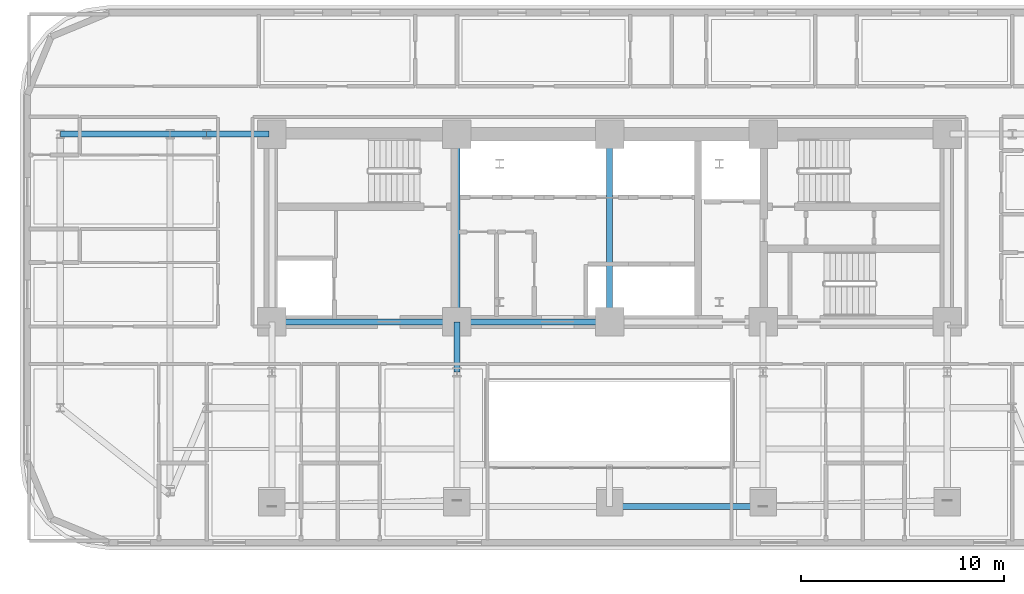
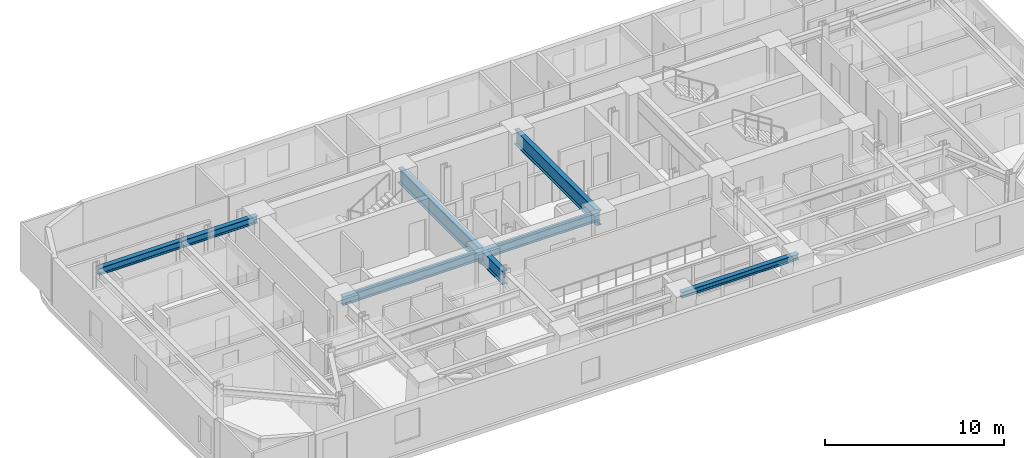
# One storey, part 4 of 16: 9 beams.
"""IFC4 building model written with IfcOpenShell, lengths in metres."""

from ifc_helpers import new_model, si_unit, direction, frame, origin, origin_2d, place, context, subcontext, project, spatial, i_section, extrude, material, material_profile, profile_set, type_object, element, save


model = new_model("IFC4")

# Units and contexts
model_context = context("Model", 3, precision=1e-05, world=origin(), true_north=direction((0.0, 1.0)))
body_context = subcontext(model_context, "Body", "Model", "MODEL_VIEW")
ifc_project = project(units=[si_unit("LENGTHUNIT", "METRE"), si_unit("AREAUNIT", "SQUARE_METRE"), si_unit("VOLUMEUNIT", "CUBIC_METRE"), si_unit("PLANEANGLEUNIT", "RADIAN"), si_unit("MASSUNIT", "GRAM", prefix="KILO")], contexts=[model_context])

# Site, building, storey
site_placement = place(None, origin())
site = spatial("IfcSite", under=ifc_project, at=site_placement, CompositionType="ELEMENT")
building_placement = place(site_placement, origin())
building = spatial("IfcBuilding", under=site, at=building_placement, Name="Zarnavel Station Tower", CompositionType="ELEMENT")
storey_placement = place(building_placement, frame((0.0, 0.0, 79.300048828125)))
storey = spatial("IfcBuildingStorey", under=building, at=storey_placement, Name="L21", CompositionType="ELEMENT", Elevation=79.300048828125)

# Beams
ifc_material_1 = material(Name="Steel S355J2", Category="steel")
ifc_material_profile_1 = material_profile(ifc_material_1, i_section(OverallWidth=0.300048828125, OverallDepth=0.39990234375, WebThickness=0.013427734375, FlangeThickness=0.02392578125, FilletRadius=0.027099609375, at=origin_2d()), Name="HEB400")
ifc_profile_set_1 = profile_set([ifc_material_profile_1], Name="Steel S355J2")
beam_type_1 = type_object("IfcBeamType", Name="EB_HEB400", PredefinedType="SPANDREL", material=ifc_profile_set_1)
beam_1_placement = place(storey_placement, frame((28.800048828125, 18.748291015625, 3.0400390625), z_axis=(1.0, 0.0, 0.0), x_axis=(0.0, 1.0, 0.0)))
element("IfcBeam", 1, at=beam_1_placement, inside=storey, type_object=beam_type_1, Name="L21 South Raked Spandrel 3", PredefinedType="SPANDREL", context=body_context, shape_type="SweptSolid", body=[
    extrude(i_section(OverallWidth=0.300048828125, OverallDepth=0.39990234375, WebThickness=0.013427734375, FlangeThickness=0.02392578125, FilletRadius=0.027099609375, at=origin_2d()), origin(), (0.0, 0.0, 1.0), 7.550048828125),
])
ifc_material_2 = material(Name="Steel S355J2", Category="steel")
ifc_material_profile_2 = material_profile(ifc_material_2, i_section(OverallWidth=0.300048828125, OverallDepth=0.5, WebThickness=0.014404296875, FlangeThickness=0.028076171875, FilletRadius=0.027099609375, at=origin_2d()), Name="HEB500")
ifc_profile_set_2 = profile_set([ifc_material_profile_2], Name="Steel S355J2")
beam_type_2 = type_object("IfcBeamType", Name="FG_HEB500", PredefinedType="USERDEFINED", material=ifc_profile_set_2)
beam_2_placement = place(storey_placement, frame((1.800048828125, 37.050048828125, 2.989990234375), z_axis=(1.0, 0.0, 0.0), x_axis=(0.0, 1.0, 0.0)))
element("IfcBeam", 2, at=beam_2_placement, inside=storey, type_object=beam_type_2, Name="L21 West Wing North Tie 1", ObjectType="GIRDER", PredefinedType="USERDEFINED", context=body_context, shape_type="SweptSolid", body=[
    extrude(i_section(OverallWidth=0.300048828125, OverallDepth=0.5, WebThickness=0.014404296875, FlangeThickness=0.028076171875, FilletRadius=0.027099609375, at=origin_2d()), origin(), (0.0, 0.0, 1.0), 5.39990234375),
])
beam_3_placement = place(storey_placement, frame((7.199951171875, 37.050048828125, 2.989990234375), z_axis=(1.0, 0.0, 0.0), x_axis=(0.0, 1.0, 0.0)))
element("IfcBeam", 3, at=beam_3_placement, inside=storey, type_object=beam_type_2, Name="L21 West Wing North Tie 2", ObjectType="GIRDER", PredefinedType="USERDEFINED", context=body_context, shape_type="SweptSolid", body=[
    extrude(i_section(OverallWidth=0.300048828125, OverallDepth=0.5, WebThickness=0.014404296875, FlangeThickness=0.028076171875, FilletRadius=0.027099609375, at=origin_2d()), origin(), (0.0, 0.0, 1.0), 1.800048828125),
])
beam_4_placement = place(storey_placement, frame((9.0, 37.050048828125, 2.989990234375), z_axis=(1.0, 0.0, 0.0), x_axis=(0.0, 1.0, 0.0)))
element("IfcBeam", 4, at=beam_4_placement, inside=storey, type_object=beam_type_2, Name="L21 West Wing North Tie 3", ObjectType="GIRDER", PredefinedType="USERDEFINED", context=body_context, shape_type="SweptSolid", body=[
    extrude(i_section(OverallWidth=0.300048828125, OverallDepth=0.5, WebThickness=0.014404296875, FlangeThickness=0.028076171875, FilletRadius=0.027099609375, at=origin_2d()), origin(), (0.0, 0.0, 1.0), 3.054931640625),
])
ifc_material_3 = material(Name="Steel S355J2", Category="steel")
ifc_material_profile_3 = material_profile(ifc_material_3, i_section(OverallWidth=0.300048828125, OverallDepth=0.60009765625, WebThickness=0.015380859375, FlangeThickness=0.030029296875, FilletRadius=0.027099609375, at=origin_2d()), Name="HEB600")
ifc_profile_set_3 = profile_set([ifc_material_profile_3], Name="Steel S355J2")
beam_type_3 = type_object("IfcBeamType", Name="FG_HEB600", PredefinedType="USERDEFINED", material=ifc_profile_set_3)
beam_5_placement = place(storey_placement, frame((12.199951171875, 27.820068359375, 2.93994140625), z_axis=(1.0, 0.0, 0.0), x_axis=(0.0, 1.0, 0.0)))
element("IfcBeam", 5, at=beam_5_placement, inside=storey, type_object=beam_type_3, Name="L21 Core Front Coupling Beam 1", ObjectType="GIRDER", PredefinedType="USERDEFINED", context=body_context, shape_type="SweptSolid", body=[
    extrude(i_section(OverallWidth=0.300048828125, OverallDepth=0.60009765625, WebThickness=0.015380859375, FlangeThickness=0.030029296875, FilletRadius=0.027099609375, at=origin_2d()), origin(), (0.0, 0.0, 1.0), 9.10009765625),
])
beam_6_placement = place(storey_placement, frame((21.300048828125, 27.820068359375, 2.93994140625), z_axis=(1.0, 0.0, 0.0), x_axis=(0.0, 1.0, 0.0)))
element("IfcBeam", 6, at=beam_6_placement, inside=storey, type_object=beam_type_3, Name="L21 Core Front Coupling Beam 2", ObjectType="GIRDER", PredefinedType="USERDEFINED", context=body_context, shape_type="SweptSolid", body=[
    extrude(i_section(OverallWidth=0.300048828125, OverallDepth=0.60009765625, WebThickness=0.015380859375, FlangeThickness=0.030029296875, FilletRadius=0.027099609375, at=origin_2d()), origin(), (0.0, 0.0, 1.0), 7.5),
])
ifc_material_4 = material(Name="Steel S460M", Category="steel")
ifc_material_profile_4 = material_profile(ifc_material_4, i_section(OverallWidth=0.302001953125, OverallDepth=1.008056640625, WebThickness=0.02099609375, FlangeThickness=0.0400390625, FilletRadius=0.030029296875, at=origin_2d()), Name="HEM1000")
ifc_profile_set_4 = profile_set([ifc_material_profile_4], Name="Steel S460M")
beam_type_4 = type_object("IfcBeamType", Name="TG_HEM1000", PredefinedType="USERDEFINED", material=ifc_profile_set_4)
for number, where, z_axis, x_axis, name in (
    (7, (21.300048828125, 27.820068359375, 2.73583984375), (0.0, 1.0, 0.0), (-1.0, 0.0, 0.0), "L21 Core Spine Coupling Girder 2"),
    (8, (28.800048828125, 27.820068359375, 2.73583984375), (0.0, 1.0, 0.0), (-1.0, 0.0, 0.0), "L21 Core Spine Coupling Girder 3"),
):
    element("IfcBeam", number, at=place(storey_placement, frame(where, z_axis=z_axis, x_axis=x_axis)), inside=storey, type_object=beam_type_4, Name=name, ObjectType="GIRDER", PredefinedType="USERDEFINED", context=body_context, shape_type="SweptSolid", body=[
        extrude(i_section(OverallWidth=0.302001953125, OverallDepth=1.008056640625, WebThickness=0.02099609375, FlangeThickness=0.0400390625, FilletRadius=0.030029296875, at=origin_2d()), origin(), (0.0, 0.0, 1.0), 9.22998046875),
    ])
ifc_material_5 = material(Name="Steel S460M", Category="steel")
ifc_material_profile_5 = material_profile(ifc_material_5, i_section(OverallWidth=0.302001953125, OverallDepth=0.909912109375, WebThickness=0.02099609375, FlangeThickness=0.0400390625, FilletRadius=0.030029296875, at=origin_2d()), Name="HEM900")
ifc_profile_set_5 = profile_set([ifc_material_profile_5], Name="Steel S460M")
beam_type_5 = type_object("IfcBeamType", Name="TG_HEM900", PredefinedType="USERDEFINED", material=ifc_profile_set_5)
beam_7_placement = place(storey_placement, frame((21.300048828125, 25.35009765625, 2.784912109375), z_axis=(0.0, 1.0, 0.0), x_axis=(-1.0, 0.0, 0.0)))
element("IfcBeam", 9, at=beam_7_placement, inside=storey, type_object=beam_type_5, Name="L21 Inner-Zone NS Girder 2", ObjectType="GIRDER", PredefinedType="USERDEFINED", context=body_context, shape_type="SweptSolid", body=[
    extrude(i_section(OverallWidth=0.302001953125, OverallDepth=0.909912109375, WebThickness=0.02099609375, FlangeThickness=0.0400390625, FilletRadius=0.030029296875, at=origin_2d()), origin(), (0.0, 0.0, 1.0), 2.469970703125),
])

save(model, "model.ifc")
